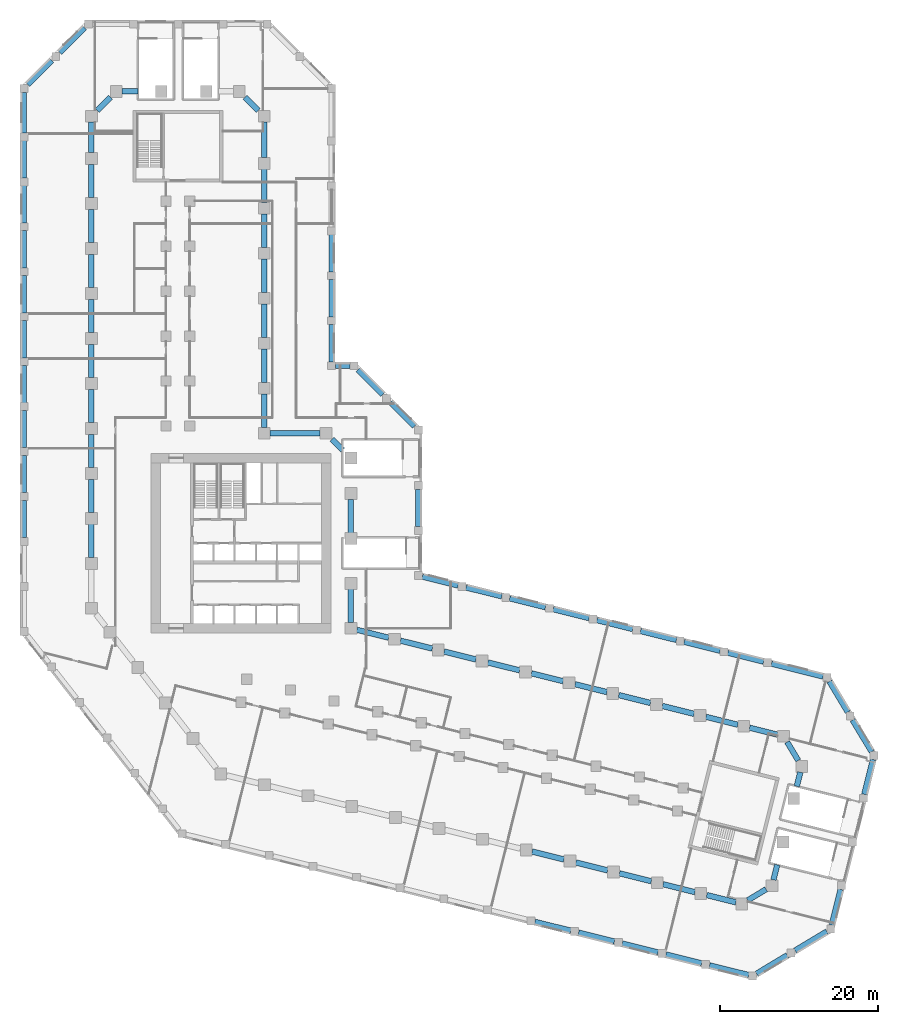
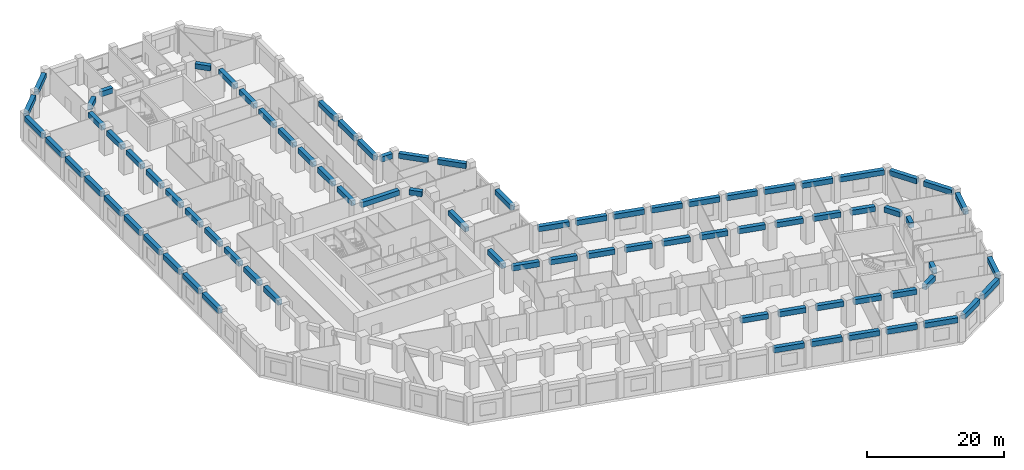
# One storey, part 2 of 13: 82 beams.
"""IFC4 building model written with IfcOpenShell, lengths in metres."""

from ifc_helpers import new_model, si_unit, direction, frame, origin, origin_2d, place, context, subcontext, project, spatial, rectangle, extrude, material, material_profile, profile_set, type_object, element, save


model = new_model("IFC4")

# Units and contexts
model_context = context("Model", 3, precision=1e-05, world=origin(), true_north=direction((0.0, 1.0)))
body_context = subcontext(model_context, "Body", "Model", "MODEL_VIEW")
ifc_project = project(units=[si_unit("LENGTHUNIT", "METRE"), si_unit("AREAUNIT", "SQUARE_METRE"), si_unit("VOLUMEUNIT", "CUBIC_METRE"), si_unit("PLANEANGLEUNIT", "RADIAN"), si_unit("MASSUNIT", "GRAM", prefix="KILO")], contexts=[model_context])

# Site, building, storey
site_placement = place(None, origin())
site = spatial("IfcSite", under=ifc_project, at=site_placement, CompositionType="ELEMENT")
building_placement = place(site_placement, origin())
building = spatial("IfcBuilding", under=site, at=building_placement, Name="Meshkara Civic Tower", CompositionType="ELEMENT")
storey_placement = place(building_placement, frame((0.0, 0.0, 28.199951171875)))
storey = spatial("IfcBuildingStorey", under=building, at=storey_placement, Name="L05", CompositionType="ELEMENT", Elevation=28.199951171875)

# Beams
ifc_material = material(Name="Concrete C60", Category="concrete")
ifc_material_profile = material_profile(ifc_material, rectangle(XDim=0.699951171875, YDim=0.89990234375, at=origin_2d()))
ifc_profile_set = profile_set([ifc_material_profile], Name="Concrete C60")
beam_type = type_object("IfcBeamType", Name="Spandrel beam RC 700x900 C60", PredefinedType="BEAM", material=ifc_profile_set)
beam_1_placement = place(storey_placement, frame((-0.4326171875, 90.823486328125, 3.900146484375), z_axis=(-0.707106781187, -0.707106781187, 0.0), x_axis=(0.707106781187, -0.707106781187, 0.0)))
element("IfcBeam", 1, at=beam_1_placement, inside=storey, type_object=beam_type, Name="Spandrel beam PD00-00-PD01-01", PredefinedType="BEAM", context=body_context, shape_type="SweptSolid", body=[
    extrude(rectangle(XDim=0.699951171875, YDim=0.89990234375, at=origin_2d()), origin(), (0.0, 0.0, 1.0), 4.4404296875),
])
beam_2_placement = place(storey_placement, frame((-4.5654296875, 86.6904296875, 3.900146484375), z_axis=(-0.707135193312, -0.707078367919, 0.0), x_axis=(0.707078367919, -0.707135193312, 0.0)))
element("IfcBeam", 2, at=beam_2_placement, inside=storey, type_object=beam_type, Name="Spandrel beam PD01-00-PD01-01", PredefinedType="BEAM", context=body_context, shape_type="SweptSolid", body=[
    extrude(rectangle(XDim=0.699951171875, YDim=0.89990234375, at=origin_2d()), origin(), (0.0, 0.0, 1.0), 4.29638671875),
])
beam_3_placement = place(storey_placement, frame((-8.10009765625, 82.660888671875, 3.900146484375), z_axis=(0.0, -1.0, 0.0), x_axis=(1.0, 0.0, 0.0)))
element("IfcBeam", 3, at=beam_3_placement, inside=storey, type_object=beam_type, Name="Spandrel beam PD01-00-PD02-11", PredefinedType="BEAM", context=body_context, shape_type="SweptSolid", body=[
    extrude(rectangle(XDim=0.699951171875, YDim=0.89990234375, at=origin_2d()), origin(), (0.0, 0.0, 1.0), 5.15478515625),
])
beam_4_placement = place(storey_placement, frame((-8.10009765625, 76.51611328125, 3.900146484375), z_axis=(0.0, -1.0, 0.0), x_axis=(1.0, 0.0, 0.0)))
element("IfcBeam", 4, at=beam_4_placement, inside=storey, type_object=beam_type, Name="Spandrel beam PD02-10-PD02-11", PredefinedType="BEAM", context=body_context, shape_type="SweptSolid", body=[
    extrude(rectangle(XDim=0.699951171875, YDim=0.89990234375, at=origin_2d()), origin(), (0.0, 0.0, 1.0), 4.710205078125),
])
for number, where, z_axis, x_axis, name in (
    (5, (-8.10009765625, 70.81591796875, 3.900146484375), (0.0, -1.0, 0.0), (1.0, 0.0, 0.0), "Spandrel beam PD02-09-PD02-10"),
    (6, (-8.10009765625, 65.115966796875, 3.900146484375), (0.0, -1.0, 0.0), (1.0, 0.0, 0.0), "Spandrel beam PD02-08-PD02-09"),
    (7, (-8.10009765625, 59.416015625, 3.900146484375), (0.0, -1.0, 0.0), (1.0, 0.0, 0.0), "Spandrel beam PD02-07-PD02-08"),
    (8, (-8.10009765625, 53.716064453125, 3.900146484375), (0.0, -1.0, 0.0), (1.0, 0.0, 0.0), "Spandrel beam PD02-06-PD02-07"),
):
    element("IfcBeam", number, at=place(storey_placement, frame(where, z_axis=z_axis, x_axis=x_axis)), inside=storey, type_object=beam_type, Name=name, PredefinedType="BEAM", context=body_context, shape_type="SweptSolid", body=[
        extrude(rectangle(XDim=0.699951171875, YDim=0.89990234375, at=origin_2d()), origin(), (0.0, 0.0, 1.0), 4.7099609375),
    ])
beam_5_placement = place(storey_placement, frame((-8.10009765625, 48.01611328125, 3.900146484375), z_axis=(0.0, -1.0, 0.0), x_axis=(1.0, 0.0, 0.0)))
element("IfcBeam", 9, at=beam_5_placement, inside=storey, type_object=beam_type, Name="Spandrel beam PD02-05-PD02-06", PredefinedType="BEAM", context=body_context, shape_type="SweptSolid", body=[
    extrude(rectangle(XDim=0.699951171875, YDim=0.89990234375, at=origin_2d()), origin(), (0.0, 0.0, 1.0), 4.710205078125),
])
for number, where, z_axis, x_axis, name in (
    (10, (-8.10009765625, 42.31591796875, 3.900146484375), (0.0, -1.0, 0.0), (1.0, 0.0, 0.0), "Spandrel beam PD02-04-PD02-05"),
    (11, (-8.10009765625, 36.615966796875, 3.900146484375), (0.0, -1.0, 0.0), (1.0, 0.0, 0.0), "Spandrel beam PD02-03-PD02-04"),
    (12, (-8.10009765625, 30.916015625, 3.900146484375), (0.0, -1.0, 0.0), (1.0, 0.0, 0.0), "Spandrel beam PD02-02-PD02-03"),
):
    element("IfcBeam", number, at=place(storey_placement, frame(where, z_axis=z_axis, x_axis=x_axis)), inside=storey, type_object=beam_type, Name=name, PredefinedType="BEAM", context=body_context, shape_type="SweptSolid", body=[
        extrude(rectangle(XDim=0.699951171875, YDim=0.89990234375, at=origin_2d()), origin(), (0.0, 0.0, 1.0), 4.7099609375),
    ])
beam_6_placement = place(storey_placement, frame((56.6669921875, -22.4765625, 3.900146484375), z_axis=(0.970298839963, -0.241909406941, 0.0), x_axis=(0.241909406941, 0.970298839963, 0.0)))
element("IfcBeam", 13, at=beam_6_placement, inside=storey, type_object=beam_type, Name="Spandrel beam PD04-08-PD04-09", PredefinedType="BEAM", context=body_context, shape_type="SweptSolid", body=[
    extrude(rectangle(XDim=0.699951171875, YDim=0.89990234375, at=origin_2d()), origin(), (0.0, 0.0, 1.0), 4.6787109375),
])
for number, where, z_axis, x_axis, name in (
    (14, (62.197021484375, -23.85546875, 3.900146484375), (0.970298806378, -0.241909541651, 0.0), (0.241909541651, 0.970298806378, 0.0), "Spandrel beam PD04-09-PD04-10"),
    (15, (67.72802734375, -25.234619140625, 3.900146484375), (0.970311050729, -0.24186042428, 0.0), (0.24186042428, 0.970311050729, 0.0), "Spandrel beam PD04-10-PD04-11"),
):
    element("IfcBeam", number, at=place(storey_placement, frame(where, z_axis=z_axis, x_axis=x_axis)), inside=storey, type_object=beam_type, Name=name, PredefinedType="BEAM", context=body_context, shape_type="SweptSolid", body=[
        extrude(rectangle(XDim=0.699951171875, YDim=0.89990234375, at=origin_2d()), origin(), (0.0, 0.0, 1.0), 4.6796875),
    ])
beam_7_placement = place(storey_placement, frame((73.259033203125, -26.613525390625, 3.900146484375), z_axis=(0.970286590806, -0.241958533023, 0.0), x_axis=(0.241958533023, 0.970286590806, 0.0)))
element("IfcBeam", 16, at=beam_7_placement, inside=storey, type_object=beam_type, Name="Spandrel beam PD04-11-PD04-12", PredefinedType="BEAM", context=body_context, shape_type="SweptSolid", body=[
    extrude(rectangle(XDim=0.699951171875, YDim=0.89990234375, at=origin_2d()), origin(), (0.0, 0.0, 1.0), 4.6787109375),
])
beam_8_placement = place(storey_placement, frame((78.7890625, -27.992431640625, 3.900146484375), z_axis=(0.970313224603, -0.241851702828, 0.0), x_axis=(0.241851702828, 0.970313224603, 0.0)))
element("IfcBeam", 17, at=beam_8_placement, inside=storey, type_object=beam_type, Name="Spandrel beam PD04-12-PD04-E", PredefinedType="BEAM", context=body_context, shape_type="SweptSolid", body=[
    extrude(rectangle(XDim=0.699951171875, YDim=0.89990234375, at=origin_2d()), origin(), (0.0, 0.0, 1.0), 5.1240234375),
])
beam_9_placement = place(storey_placement, frame((84.751708984375, -29.05712890625, 3.900146484375), z_axis=(0.857141884297, 0.515080372547, 0.0), x_axis=(-0.515080372547, 0.857141884297, 0.0)))
element("IfcBeam", 18, at=beam_9_placement, inside=storey, type_object=beam_type, Name="Spandrel beam PD04-E-PD05-01", PredefinedType="BEAM", context=body_context, shape_type="SweptSolid", body=[
    extrude(rectangle(XDim=0.699951171875, YDim=0.89990234375, at=origin_2d()), origin(), (0.0, 0.0, 1.0), 4.543701171875),
])
beam_10_placement = place(storey_placement, frame((89.6376953125, -26.12109375, 3.900146484375), z_axis=(0.857157399661, 0.515054552651, 0.0), x_axis=(-0.515054552651, 0.857157399661, 0.0)))
element("IfcBeam", 19, at=beam_10_placement, inside=storey, type_object=beam_type, Name="Spandrel beam PD05-01-PD05-E", PredefinedType="BEAM", context=body_context, shape_type="SweptSolid", body=[
    extrude(rectangle(XDim=0.699951171875, YDim=0.89990234375, at=origin_2d()), origin(), (0.0, 0.0, 1.0), 4.689453125),
])
beam_11_placement = place(storey_placement, frame((94.276611328125, -22.912841796875, 3.900146484375), z_axis=(0.24186042428, 0.970311050729, 0.0), x_axis=(-0.970311050729, 0.24186042428, 0.0)))
element("IfcBeam", 20, at=beam_11_placement, inside=storey, type_object=beam_type, Name="Spandrel beam PD05-E-PD06-01", PredefinedType="BEAM", context=body_context, shape_type="SweptSolid", body=[
    extrude(rectangle(XDim=0.699951171875, YDim=0.89990234375, at=origin_2d()), origin(), (0.0, 0.0, 1.0), 4.6796875),
])
beam_12_placement = place(storey_placement, frame((98.41357421875, -6.32080078125, 3.900146484375), z_axis=(0.241942189564, 0.970290666197, 0.0), x_axis=(-0.970290666197, 0.241942189564, 0.0)))
element("IfcBeam", 21, at=beam_12_placement, inside=storey, type_object=beam_type, Name="Spandrel beam PD06-03-PD06-E", PredefinedType="BEAM", context=body_context, shape_type="SweptSolid", body=[
    extrude(rectangle(XDim=0.699951171875, YDim=0.89990234375, at=origin_2d()), origin(), (0.0, 0.0, 1.0), 4.550048828125),
])
beam_13_placement = place(storey_placement, frame((99.340087890625, -0.915283203125, 3.900146484375), z_axis=(-0.515169292752, 0.857088443398, 0.0), x_axis=(-0.857088443398, -0.515169292752, 0.0)))
element("IfcBeam", 22, at=beam_13_placement, inside=storey, type_object=beam_type, Name="Spandrel beam PD06-E-PD07-01", PredefinedType="BEAM", context=body_context, shape_type="SweptSolid", body=[
    extrude(rectangle(XDim=0.699951171875, YDim=0.89990234375, at=origin_2d()), origin(), (0.0, 0.0, 1.0), 4.689697265625),
])
beam_14_placement = place(storey_placement, frame((96.328125, 4.095703125, 3.900146484375), z_axis=(-0.515175277931, 0.857084845863, 0.0), x_axis=(-0.857084845863, -0.515175277931, 0.0)))
element("IfcBeam", 23, at=beam_14_placement, inside=storey, type_object=beam_type, Name="Spandrel beam PD07-00-PD07-01", PredefinedType="BEAM", context=body_context, shape_type="SweptSolid", body=[
    extrude(rectangle(XDim=0.699951171875, YDim=0.89990234375, at=origin_2d()), origin(), (0.0, 0.0, 1.0), 4.542724609375),
])
beam_15_placement = place(storey_placement, frame((93.19482421875, 8.6083984375, 3.900146484375), z_axis=(-0.97029537184, 0.24192331716, 0.0), x_axis=(-0.24192331716, -0.97029537184, 0.0)))
element("IfcBeam", 24, at=beam_15_placement, inside=storey, type_object=beam_type, Name="Spandrel beam PD07-00-PD08-08", PredefinedType="BEAM", context=body_context, shape_type="SweptSolid", body=[
    extrude(rectangle(XDim=0.699951171875, YDim=0.89990234375, at=origin_2d()), origin(), (0.0, 0.0, 1.0), 6.75537109375),
])
beam_16_placement = place(storey_placement, frame((85.64990234375, 10.489501953125, 3.900146484375), z_axis=(-0.970286590806, 0.241958533023, 0.0), x_axis=(-0.241958533023, -0.970286590806, 0.0)))
element("IfcBeam", 25, at=beam_16_placement, inside=storey, type_object=beam_type, Name="Spandrel beam PD08-07-PD08-08", PredefinedType="BEAM", context=body_context, shape_type="SweptSolid", body=[
    extrude(rectangle(XDim=0.699951171875, YDim=0.89990234375, at=origin_2d()), origin(), (0.0, 0.0, 1.0), 4.6787109375),
])
beam_17_placement = place(storey_placement, frame((80.119873046875, 11.868408203125, 3.900146484375), z_axis=(-0.970298806378, 0.241909541651, 0.0), x_axis=(-0.241909541651, -0.970298806378, 0.0)))
element("IfcBeam", 26, at=beam_17_placement, inside=storey, type_object=beam_type, Name="Spandrel beam PD08-06-PD08-07", PredefinedType="BEAM", context=body_context, shape_type="SweptSolid", body=[
    extrude(rectangle(XDim=0.699951171875, YDim=0.89990234375, at=origin_2d()), origin(), (0.0, 0.0, 1.0), 4.6796875),
])
beam_18_placement = place(storey_placement, frame((74.5888671875, 13.24755859375, 3.900146484375), z_axis=(-0.970249807203, 0.242105992539, 0.0), x_axis=(-0.242105992539, -0.970249807203, 0.0)))
element("IfcBeam", 27, at=beam_18_placement, inside=storey, type_object=beam_type, Name="Spandrel beam PD08-05-PD08-06", PredefinedType="BEAM", context=body_context, shape_type="SweptSolid", body=[
    extrude(rectangle(XDim=0.699951171875, YDim=0.89990234375, at=origin_2d()), origin(), (0.0, 0.0, 1.0), 4.679931640625),
])
beam_19_placement = place(storey_placement, frame((69.057861328125, 14.62744140625, 3.900146484375), z_axis=(-0.970286590806, 0.241958533023, 0.0), x_axis=(-0.241958533023, -0.970286590806, 0.0)))
element("IfcBeam", 28, at=beam_19_placement, inside=storey, type_object=beam_type, Name="Spandrel beam PD08-04-PD08-05", PredefinedType="BEAM", context=body_context, shape_type="SweptSolid", body=[
    extrude(rectangle(XDim=0.699951171875, YDim=0.89990234375, at=origin_2d()), origin(), (0.0, 0.0, 1.0), 4.6787109375),
])
for number, where, z_axis, x_axis, name in (
    (29, (63.52783203125, 16.006591796875, 3.900146484375), (-0.970311050729, 0.24186042428, 0.0), (-0.24186042428, -0.970311050729, 0.0), "Spandrel beam PD08-03-PD08-04"),
    (30, (57.996826171875, 17.385498046875, 3.900146484375), (-0.970298806378, 0.241909541651, 0.0), (-0.241909541651, -0.970298806378, 0.0), "Spandrel beam PD08-02-PD08-03"),
):
    element("IfcBeam", number, at=place(storey_placement, frame(where, z_axis=z_axis, x_axis=x_axis)), inside=storey, type_object=beam_type, Name=name, PredefinedType="BEAM", context=body_context, shape_type="SweptSolid", body=[
        extrude(rectangle(XDim=0.699951171875, YDim=0.89990234375, at=origin_2d()), origin(), (0.0, 0.0, 1.0), 4.6796875),
    ])
beam_20_placement = place(storey_placement, frame((52.4658203125, 18.764404296875, 3.900146484375), z_axis=(-0.970286590806, 0.241958533023, 0.0), x_axis=(-0.241958533023, -0.970286590806, 0.0)))
element("IfcBeam", 31, at=beam_20_placement, inside=storey, type_object=beam_type, Name="Spandrel beam PD08-01-PD08-02", PredefinedType="BEAM", context=body_context, shape_type="SweptSolid", body=[
    extrude(rectangle(XDim=0.699951171875, YDim=0.89990234375, at=origin_2d()), origin(), (0.0, 0.0, 1.0), 4.6787109375),
])
beam_21_placement = place(storey_placement, frame((46.935791015625, 20.1435546875, 3.900146484375), z_axis=(-0.970311050729, 0.24186042428, 0.0), x_axis=(-0.24186042428, -0.970311050729, 0.0)))
element("IfcBeam", 32, at=beam_21_placement, inside=storey, type_object=beam_type, Name="Spandrel beam PD08-00-PD08-01", PredefinedType="BEAM", context=body_context, shape_type="SweptSolid", body=[
    extrude(rectangle(XDim=0.699951171875, YDim=0.89990234375, at=origin_2d()), origin(), (0.0, 0.0, 1.0), 4.6796875),
])
beam_22_placement = place(storey_placement, frame((41.89990234375, 27.593994140625, 3.900146484375), z_axis=(0.0, 1.0, 0.0), x_axis=(-1.0, 0.0, 0.0)))
element("IfcBeam", 33, at=beam_22_placement, inside=storey, type_object=beam_type, Name="Spandrel beam PD09-01-PD09-02", PredefinedType="BEAM", context=body_context, shape_type="SweptSolid", body=[
    extrude(rectangle(XDim=0.699951171875, YDim=0.89990234375, at=origin_2d()), origin(), (0.0, 0.0, 1.0), 4.7099609375),
])
beam_23_placement = place(storey_placement, frame((41.403564453125, 40.33251953125, 3.900146484375), z_axis=(-0.707106781187, 0.707106781187, 0.0), x_axis=(-0.707106781187, -0.707106781187, 0.0)))
element("IfcBeam", 34, at=beam_23_placement, inside=storey, type_object=beam_type, Name="Spandrel beam PD09-E-PD10-01", PredefinedType="BEAM", context=body_context, shape_type="SweptSolid", body=[
    extrude(rectangle(XDim=0.699951171875, YDim=0.89990234375, at=origin_2d()), origin(), (0.0, 0.0, 1.0), 4.29638671875),
])
beam_24_placement = place(storey_placement, frame((37.37255859375, 44.363525390625, 3.900146484375), z_axis=(-0.707134269933, 0.707079291371, 0.0), x_axis=(-0.707079291371, -0.707134269933, 0.0)))
element("IfcBeam", 35, at=beam_24_placement, inside=storey, type_object=beam_type, Name="Spandrel beam PD10-01-PD10-E", PredefinedType="BEAM", context=body_context, shape_type="SweptSolid", body=[
    extrude(rectangle(XDim=0.699951171875, YDim=0.89990234375, at=origin_2d()), origin(), (0.0, 0.0, 1.0), 4.440673828125),
])
beam_25_placement = place(storey_placement, frame((33.240966796875, 48.0, 3.900146484375), z_axis=(-1.0, 0.0, 0.0), x_axis=(0.0, -1.0, 0.0)))
element("IfcBeam", 36, at=beam_25_placement, inside=storey, type_object=beam_type, Name="Spandrel beam PD10-E-PD11-00", PredefinedType="BEAM", context=body_context, shape_type="SweptSolid", body=[
    extrude(rectangle(XDim=0.699951171875, YDim=0.89990234375, at=origin_2d()), origin(), (0.0, 0.0, 1.0), 1.845947265625),
])
for number, where, z_axis, x_axis, name in (
    (37, (30.89990234375, 48.4951171875, 3.900146484375), (0.0, 1.0, 0.0), (-1.0, 0.0, 0.0), "Spandrel beam PD11-00-PD12-01"),
    (38, (30.89990234375, 54.195068359375, 3.900146484375), (0.0, 1.0, 0.0), (-1.0, 0.0, 0.0), "Spandrel beam PD12-01-PD12-02"),
    (39, (30.89990234375, 59.89501953125, 3.900146484375), (0.0, 1.0, 0.0), (-1.0, 0.0, 0.0), "Spandrel beam PD12-02-PD12-03"),
):
    element("IfcBeam", number, at=place(storey_placement, frame(where, z_axis=z_axis, x_axis=x_axis)), inside=storey, type_object=beam_type, Name=name, PredefinedType="BEAM", context=body_context, shape_type="SweptSolid", body=[
        extrude(rectangle(XDim=0.699951171875, YDim=0.89990234375, at=origin_2d()), origin(), (0.0, 0.0, 1.0), 4.7099609375),
    ])
beam_26_placement = place(storey_placement, frame((82.380859375, 2.493896484375, 3.900146484375), z_axis=(-0.970304364729, 0.24188724602, 0.0), x_axis=(-0.24188724602, -0.970304364729, 0.0)))
element("IfcBeam", 40, at=beam_26_placement, inside=storey, type_object=beam_type, Name="Spandrel beam BN08-BN09", PredefinedType="BEAM", context=body_context, shape_type="SweptSolid", body=[
    extrude(rectangle(XDim=0.699951171875, YDim=0.89990234375, at=origin_2d()), origin(), (0.0, 0.0, 1.0), 4.16455078125),
])
beam_27_placement = place(storey_placement, frame((76.849853515625, 3.872802734375, 3.900146484375), z_axis=(-0.970290639553, 0.241942296416, 0.0), x_axis=(-0.241942296416, -0.970290639553, 0.0)))
element("IfcBeam", 41, at=beam_27_placement, inside=storey, type_object=beam_type, Name="Spandrel beam BN07-BN08", PredefinedType="BEAM", context=body_context, shape_type="SweptSolid", body=[
    extrude(rectangle(XDim=0.699951171875, YDim=0.89990234375, at=origin_2d()), origin(), (0.0, 0.0, 1.0), 4.16357421875),
])
for number, where, z_axis, x_axis, name in (
    (42, (71.31982421875, 5.251708984375, 3.900146484375), (-0.97029060379, 0.241942439843, 0.0), (-0.241942439843, -0.97029060379, 0.0), "Spandrel beam BN06-BN07"),
    (43, (65.788818359375, 6.630859375, 3.900146484375), (-0.970304364729, 0.24188724602, 0.0), (-0.24188724602, -0.970304364729, 0.0), "Spandrel beam BN05-BN06"),
):
    element("IfcBeam", number, at=place(storey_placement, frame(where, z_axis=z_axis, x_axis=x_axis)), inside=storey, type_object=beam_type, Name=name, PredefinedType="BEAM", context=body_context, shape_type="SweptSolid", body=[
        extrude(rectangle(XDim=0.699951171875, YDim=0.89990234375, at=origin_2d()), origin(), (0.0, 0.0, 1.0), 4.16455078125),
    ])
beam_28_placement = place(storey_placement, frame((60.2578125, 8.009765625, 3.900146484375), z_axis=(-0.970290639553, 0.241942296416, 0.0), x_axis=(-0.241942296416, -0.970290639553, 0.0)))
element("IfcBeam", 44, at=beam_28_placement, inside=storey, type_object=beam_type, Name="Spandrel beam BN04-BN05", PredefinedType="BEAM", context=body_context, shape_type="SweptSolid", body=[
    extrude(rectangle(XDim=0.699951171875, YDim=0.89990234375, at=origin_2d()), origin(), (0.0, 0.0, 1.0), 4.16357421875),
])
beam_29_placement = place(storey_placement, frame((54.727783203125, 9.388916015625, 3.900146484375), z_axis=(-0.970304364729, 0.24188724602, 0.0), x_axis=(-0.24188724602, -0.970304364729, 0.0)))
element("IfcBeam", 45, at=beam_29_placement, inside=storey, type_object=beam_type, Name="Spandrel beam BN03-BN04", PredefinedType="BEAM", context=body_context, shape_type="SweptSolid", body=[
    extrude(rectangle(XDim=0.699951171875, YDim=0.89990234375, at=origin_2d()), origin(), (0.0, 0.0, 1.0), 4.16455078125),
])
beam_30_placement = place(storey_placement, frame((49.197021484375, 10.767822265625, 3.900146484375), z_axis=(-0.97030779456, 0.241873487213, 0.0), x_axis=(-0.241873487213, -0.97030779456, 0.0)))
element("IfcBeam", 46, at=beam_30_placement, inside=storey, type_object=beam_type, Name="Spandrel beam BN02-BN03", PredefinedType="BEAM", context=body_context, shape_type="SweptSolid", body=[
    extrude(rectangle(XDim=0.699951171875, YDim=0.89990234375, at=origin_2d()), origin(), (0.0, 0.0, 1.0), 4.164794921875),
])
beam_31_placement = place(storey_placement, frame((43.666015625, 12.146728515625, 3.900146484375), z_axis=(-0.970276872544, 0.241997501238, 0.0), x_axis=(-0.241997501238, -0.970276872544, 0.0)))
element("IfcBeam", 47, at=beam_31_placement, inside=storey, type_object=beam_type, Name="Spandrel beam BN01-BN02", PredefinedType="BEAM", context=body_context, shape_type="SweptSolid", body=[
    extrude(rectangle(XDim=0.699951171875, YDim=0.89990234375, at=origin_2d()), origin(), (0.0, 0.0, 1.0), 4.16357421875),
])
beam_32_placement = place(storey_placement, frame((38.135986328125, 13.52587890625, 3.900146484375), z_axis=(-0.970304364729, 0.24188724602, 0.0), x_axis=(-0.24188724602, -0.970304364729, 0.0)))
element("IfcBeam", 48, at=beam_32_placement, inside=storey, type_object=beam_type, Name="Spandrel beam BN01-HE00", PredefinedType="BEAM", context=body_context, shape_type="SweptSolid", body=[
    extrude(rectangle(XDim=0.699951171875, YDim=0.89990234375, at=origin_2d()), origin(), (0.0, 0.0, 1.0), 4.16455078125),
])
beam_33_placement = place(storey_placement, frame((33.35009765625, 15.464111328125, 3.900146484375), z_axis=(0.0, 1.0, 0.0), x_axis=(-1.0, 0.0, 0.0)))
element("IfcBeam", 49, at=beam_33_placement, inside=storey, type_object=beam_type, Name="Spandrel beam HE00-HE01", PredefinedType="BEAM", context=body_context, shape_type="SweptSolid", body=[
    extrude(rectangle(XDim=0.699951171875, YDim=0.89990234375, at=origin_2d()), origin(), (0.0, 0.0, 1.0), 4.2099609375),
])
beam_34_placement = place(storey_placement, frame((33.35009765625, 26.22509765625, 3.900146484375), z_axis=(0.0, 1.0, 0.0), x_axis=(-1.0, 0.0, 0.0)))
element("IfcBeam", 50, at=beam_34_placement, inside=storey, type_object=beam_type, Name="Spandrel beam HE02-HE03", PredefinedType="BEAM", context=body_context, shape_type="SweptSolid", body=[
    extrude(rectangle(XDim=0.699951171875, YDim=0.89990234375, at=origin_2d()), origin(), (0.0, 0.0, 1.0), 4.848876953125),
])
beam_35_placement = place(storey_placement, frame((32.300048828125, 37.343994140625, 3.900146484375), z_axis=(-0.707106781187, 0.707106781187, 0.0), x_axis=(-0.707106781187, -0.707106781187, 0.0)))
element("IfcBeam", 51, at=beam_35_placement, inside=storey, type_object=beam_type, Name="Spandrel beam HCeE-HEE", PredefinedType="BEAM", context=body_context, shape_type="SweptSolid", body=[
    extrude(rectangle(XDim=0.699951171875, YDim=0.89990234375, at=origin_2d()), origin(), (0.0, 0.0, 1.0), 1.9228515625),
])
beam_36_placement = place(storey_placement, frame((29.448974609375, 39.449951171875, 3.900146484375), z_axis=(-1.0, 0.0, 0.0), x_axis=(0.0, -1.0, 0.0)))
element("IfcBeam", 52, at=beam_36_placement, inside=storey, type_object=beam_type, Name="Spandrel beam HCeE-HN00", PredefinedType="BEAM", context=body_context, shape_type="SweptSolid", body=[
    extrude(rectangle(XDim=0.699951171875, YDim=0.89990234375, at=origin_2d()), origin(), (0.0, 0.0, 1.0), 6.35400390625),
])
for number, where, z_axis, x_axis, name in (
    (53, (22.35009765625, 40.195068359375, 3.900146484375), (0.0, 1.0, 0.0), (-1.0, 0.0, 0.0), "Spandrel beam AE01-HN00"),
    (54, (22.35009765625, 45.89501953125, 3.900146484375), (0.0, 1.0, 0.0), (-1.0, 0.0, 0.0), "Spandrel beam AE01-AE02"),
    (55, (22.35009765625, 51.594970703125, 3.900146484375), (0.0, 1.0, 0.0), (-1.0, 0.0, 0.0), "Spandrel beam AE02-AE03"),
    (56, (22.35009765625, 57.294921875, 3.900146484375), (0.0, 1.0, 0.0), (-1.0, 0.0, 0.0), "Spandrel beam AE03-AE04"),
    (57, (22.35009765625, 62.9951171875, 3.900146484375), (0.0, 1.0, 0.0), (-1.0, 0.0, 0.0), "Spandrel beam AE04-AE05"),
    (58, (22.35009765625, 68.695068359375, 3.900146484375), (0.0, 1.0, 0.0), (-1.0, 0.0, 0.0), "Spandrel beam AE05-AE06"),
):
    element("IfcBeam", number, at=place(storey_placement, frame(where, z_axis=z_axis, x_axis=x_axis)), inside=storey, type_object=beam_type, Name=name, PredefinedType="BEAM", context=body_context, shape_type="SweptSolid", body=[
        extrude(rectangle(XDim=0.699951171875, YDim=0.89990234375, at=origin_2d()), origin(), (0.0, 0.0, 1.0), 4.2099609375),
    ])
beam_37_placement = place(storey_placement, frame((22.35009765625, 74.39501953125, 3.900146484375), z_axis=(0.0, 1.0, 0.0), x_axis=(-1.0, 0.0, 0.0)))
element("IfcBeam", 59, at=beam_37_placement, inside=storey, type_object=beam_type, Name="Spandrel beam AE06-AEE", PredefinedType="BEAM", context=body_context, shape_type="SweptSolid", body=[
    extrude(rectangle(XDim=0.699951171875, YDim=0.89990234375, at=origin_2d()), origin(), (0.0, 0.0, 1.0), 4.473876953125),
])
beam_38_placement = place(storey_placement, frame((21.603515625, 80.360595703125, 3.900146484375), z_axis=(-0.707158684646, 0.707054873917, 0.0), x_axis=(-0.707054873917, -0.707158684646, 0.0)))
element("IfcBeam", 60, at=beam_38_placement, inside=storey, type_object=beam_type, Name="Spandrel beam AEE-ATiE", PredefinedType="BEAM", context=body_context, shape_type="SweptSolid", body=[
    extrude(rectangle(XDim=0.699951171875, YDim=0.89990234375, at=origin_2d()), origin(), (0.0, 0.0, 1.0), 2.351806640625),
])
beam_39_placement = place(storey_placement, frame((6.3349609375, 82.77001953125, 3.900146484375), z_axis=(-1.0, 0.0, 0.0), x_axis=(0.0, -1.0, 0.0)))
element("IfcBeam", 61, at=beam_39_placement, inside=storey, type_object=beam_type, Name="Spandrel beam AT00-AT01", PredefinedType="BEAM", context=body_context, shape_type="SweptSolid", body=[
    extrude(rectangle(XDim=0.699951171875, YDim=0.89990234375, at=origin_2d()), origin(), (0.0, 0.0, 1.0), 1.98388671875),
])
beam_40_placement = place(storey_placement, frame((2.859619140625, 82.0234375, 3.900146484375), z_axis=(-0.707158684646, -0.707054873917, 0.0), x_axis=(0.707054873917, -0.707158684646, 0.0)))
element("IfcBeam", 62, at=beam_40_placement, inside=storey, type_object=beam_type, Name="Spandrel beam AT00-ATo00", PredefinedType="BEAM", context=body_context, shape_type="SweptSolid", body=[
    extrude(rectangle(XDim=0.699951171875, YDim=0.89990234375, at=origin_2d()), origin(), (0.0, 0.0, 1.0), 2.351806640625),
])
beam_41_placement = place(storey_placement, frame((0.449951171875, 78.868896484375, 3.900146484375), z_axis=(0.0, -1.0, 0.0), x_axis=(1.0, 0.0, 0.0)))
element("IfcBeam", 63, at=beam_41_placement, inside=storey, type_object=beam_type, Name="Spandrel beam ATo00-AW10", PredefinedType="BEAM", context=body_context, shape_type="SweptSolid", body=[
    extrude(rectangle(XDim=0.699951171875, YDim=0.89990234375, at=origin_2d()), origin(), (0.0, 0.0, 1.0), 3.868896484375),
])
for number, where, z_axis, x_axis, name in (
    (64, (0.449951171875, 73.510009765625, 3.900146484375), (0.0, -1.0, 0.0), (1.0, 0.0, 0.0), "Spandrel beam AW09-AW10"),
    (65, (0.449951171875, 67.81005859375, 3.900146484375), (0.0, -1.0, 0.0), (1.0, 0.0, 0.0), "Spandrel beam AW08-AW09"),
):
    element("IfcBeam", number, at=place(storey_placement, frame(where, z_axis=z_axis, x_axis=x_axis)), inside=storey, type_object=beam_type, Name=name, PredefinedType="BEAM", context=body_context, shape_type="SweptSolid", body=[
        extrude(rectangle(XDim=0.699951171875, YDim=0.89990234375, at=origin_2d()), origin(), (0.0, 0.0, 1.0), 4.2099609375),
    ])
beam_42_placement = place(storey_placement, frame((0.449951171875, 62.110107421875, 3.900146484375), z_axis=(0.0, -1.0, 0.0), x_axis=(1.0, 0.0, 0.0)))
element("IfcBeam", 66, at=beam_42_placement, inside=storey, type_object=beam_type, Name="Spandrel beam AW07-AW08", PredefinedType="BEAM", context=body_context, shape_type="SweptSolid", body=[
    extrude(rectangle(XDim=0.699951171875, YDim=0.89990234375, at=origin_2d()), origin(), (0.0, 0.0, 1.0), 4.210205078125),
])
for number, where, z_axis, x_axis, name in (
    (67, (0.449951171875, 56.409912109375, 3.900146484375), (0.0, -1.0, 0.0), (1.0, 0.0, 0.0), "Spandrel beam AW06-AW07"),
    (68, (0.449951171875, 50.7099609375, 3.900146484375), (0.0, -1.0, 0.0), (1.0, 0.0, 0.0), "Spandrel beam AW05-AW06"),
    (69, (0.449951171875, 45.010009765625, 3.900146484375), (0.0, -1.0, 0.0), (1.0, 0.0, 0.0), "Spandrel beam AW04-AW05"),
    (70, (0.449951171875, 39.31005859375, 3.900146484375), (0.0, -1.0, 0.0), (1.0, 0.0, 0.0), "Spandrel beam AW03-AW04"),
):
    element("IfcBeam", number, at=place(storey_placement, frame(where, z_axis=z_axis, x_axis=x_axis)), inside=storey, type_object=beam_type, Name=name, PredefinedType="BEAM", context=body_context, shape_type="SweptSolid", body=[
        extrude(rectangle(XDim=0.699951171875, YDim=0.89990234375, at=origin_2d()), origin(), (0.0, 0.0, 1.0), 4.2099609375),
    ])
beam_43_placement = place(storey_placement, frame((0.449951171875, 33.610107421875, 3.900146484375), z_axis=(0.0, -1.0, 0.0), x_axis=(1.0, 0.0, 0.0)))
element("IfcBeam", 71, at=beam_43_placement, inside=storey, type_object=beam_type, Name="Spandrel beam AW02-AW03", PredefinedType="BEAM", context=body_context, shape_type="SweptSolid", body=[
    extrude(rectangle(XDim=0.699951171875, YDim=0.89990234375, at=origin_2d()), origin(), (0.0, 0.0, 1.0), 4.210205078125),
])
beam_44_placement = place(storey_placement, frame((0.449951171875, 27.909912109375, 3.900146484375), z_axis=(0.0, -1.0, 0.0), x_axis=(1.0, 0.0, 0.0)))
element("IfcBeam", 72, at=beam_44_placement, inside=storey, type_object=beam_type, Name="Spandrel beam AW01-AW02", PredefinedType="BEAM", context=body_context, shape_type="SweptSolid", body=[
    extrude(rectangle(XDim=0.699951171875, YDim=0.89990234375, at=origin_2d()), origin(), (0.0, 0.0, 1.0), 4.2099609375),
])
beam_45_placement = place(storey_placement, frame((56.31103515625, -13.57568359375, 3.900146484375), z_axis=(0.97029060379, -0.241942439843, 0.0), x_axis=(0.241942439843, 0.97029060379, 0.0)))
element("IfcBeam", 73, at=beam_45_placement, inside=storey, type_object=beam_type, Name="Spandrel beam BS07-BS08", PredefinedType="BEAM", context=body_context, shape_type="SweptSolid", body=[
    extrude(rectangle(XDim=0.699951171875, YDim=0.89990234375, at=origin_2d()), origin(), (0.0, 0.0, 1.0), 4.16455078125),
])
beam_46_placement = place(storey_placement, frame((61.842041015625, -14.954833984375, 3.900146484375), z_axis=(0.970290639553, -0.241942296416, 0.0), x_axis=(0.241942296416, 0.970290639553, 0.0)))
element("IfcBeam", 74, at=beam_46_placement, inside=storey, type_object=beam_type, Name="Spandrel beam BS08-BS09", PredefinedType="BEAM", context=body_context, shape_type="SweptSolid", body=[
    extrude(rectangle(XDim=0.699951171875, YDim=0.89990234375, at=origin_2d()), origin(), (0.0, 0.0, 1.0), 4.16357421875),
])
for number, where, z_axis, x_axis, name in (
    (75, (67.3720703125, -16.333740234375, 3.900146484375), (0.97029060379, -0.241942439843, 0.0), (0.241942439843, 0.97029060379, 0.0), "Spandrel beam BS09-BS10"),
    (76, (72.903076171875, -17.712890625, 3.900146484375), (0.970304364729, -0.24188724602, 0.0), (0.24188724602, 0.970304364729, 0.0), "Spandrel beam BS10-BS11"),
):
    element("IfcBeam", number, at=place(storey_placement, frame(where, z_axis=z_axis, x_axis=x_axis)), inside=storey, type_object=beam_type, Name=name, PredefinedType="BEAM", context=body_context, shape_type="SweptSolid", body=[
        extrude(rectangle(XDim=0.699951171875, YDim=0.89990234375, at=origin_2d()), origin(), (0.0, 0.0, 1.0), 4.16455078125),
    ])
beam_47_placement = place(storey_placement, frame((78.43408203125, -19.091796875, 3.900146484375), z_axis=(0.970303847532, -0.24188932069, 0.0), x_axis=(0.24188932069, 0.970303847532, 0.0)))
element("IfcBeam", 77, at=beam_47_placement, inside=storey, type_object=beam_type, Name="Spandrel beam BS11-BSE", PredefinedType="BEAM", context=body_context, shape_type="SweptSolid", body=[
    extrude(rectangle(XDim=0.699951171875, YDim=0.89990234375, at=origin_2d()), origin(), (0.0, 0.0, 1.0), 3.822265625),
])
beam_48_placement = place(storey_placement, frame((83.6337890625, -19.75390625, 3.900146484375), z_axis=(0.857144712567, 0.515075666012, 0.0), x_axis=(-0.515075666012, 0.857144712567, 0.0)))
element("IfcBeam", 78, at=beam_48_placement, inside=storey, type_object=beam_type, Name="Spandrel beam BSE-BToE", PredefinedType="BEAM", context=body_context, shape_type="SweptSolid", body=[
    extrude(rectangle(XDim=0.699951171875, YDim=0.89990234375, at=origin_2d()), origin(), (0.0, 0.0, 1.0), 2.7236328125),
])
beam_49_placement = place(storey_placement, frame((86.89990234375, -17.157958984375, 3.900146484375), z_axis=(0.241861571697, 0.970310764722, 0.0), x_axis=(-0.970310764722, 0.241861571697, 0.0)))
element("IfcBeam", 79, at=beam_49_placement, inside=storey, type_object=beam_type, Name="Spandrel beam BT01-BToE", PredefinedType="BEAM", context=body_context, shape_type="SweptSolid", body=[
    extrude(rectangle(XDim=0.699951171875, YDim=0.89990234375, at=origin_2d()), origin(), (0.0, 0.0, 1.0), 1.960205078125),
])
beam_50_placement = place(storey_placement, frame((89.85400390625, -5.31005859375, 3.900146484375), z_axis=(0.2419425832, 0.970290568044, 0.0), x_axis=(-0.970290568044, 0.2419425832, 0.0)))
element("IfcBeam", 80, at=beam_50_placement, inside=storey, type_object=beam_type, Name="Spandrel beam BT02-BTE", PredefinedType="BEAM", context=body_context, shape_type="SweptSolid", body=[
    extrude(rectangle(XDim=0.699951171875, YDim=0.89990234375, at=origin_2d()), origin(), (0.0, 0.0, 1.0), 1.840576171875),
])
beam_51_placement = place(storey_placement, frame((90.036865234375, -2.033203125, 3.900146484375), z_axis=(-0.515168140446, 0.857089136012, 0.0), x_axis=(-0.857089136012, -0.515168140446, 0.0)))
element("IfcBeam", 81, at=beam_51_placement, inside=storey, type_object=beam_type, Name="Spandrel beam BTE-BTi00", PredefinedType="BEAM", context=body_context, shape_type="SweptSolid", body=[
    extrude(rectangle(XDim=0.699951171875, YDim=0.89990234375, at=origin_2d()), origin(), (0.0, 0.0, 1.0), 2.72265625),
])
beam_52_placement = place(storey_placement, frame((87.44091796875, 1.231689453125, 3.900146484375), z_axis=(-0.970259486143, 0.242067200482, 0.0), x_axis=(-0.242067200482, -0.970259486143, 0.0)))
element("IfcBeam", 82, at=beam_52_placement, inside=storey, type_object=beam_type, Name="Spandrel beam BN09-BTi00", PredefinedType="BEAM", context=body_context, shape_type="SweptSolid", body=[
    extrude(rectangle(XDim=0.699951171875, YDim=0.89990234375, at=origin_2d()), origin(), (0.0, 0.0, 1.0), 3.67919921875),
])

save(model, "model.ifc")
